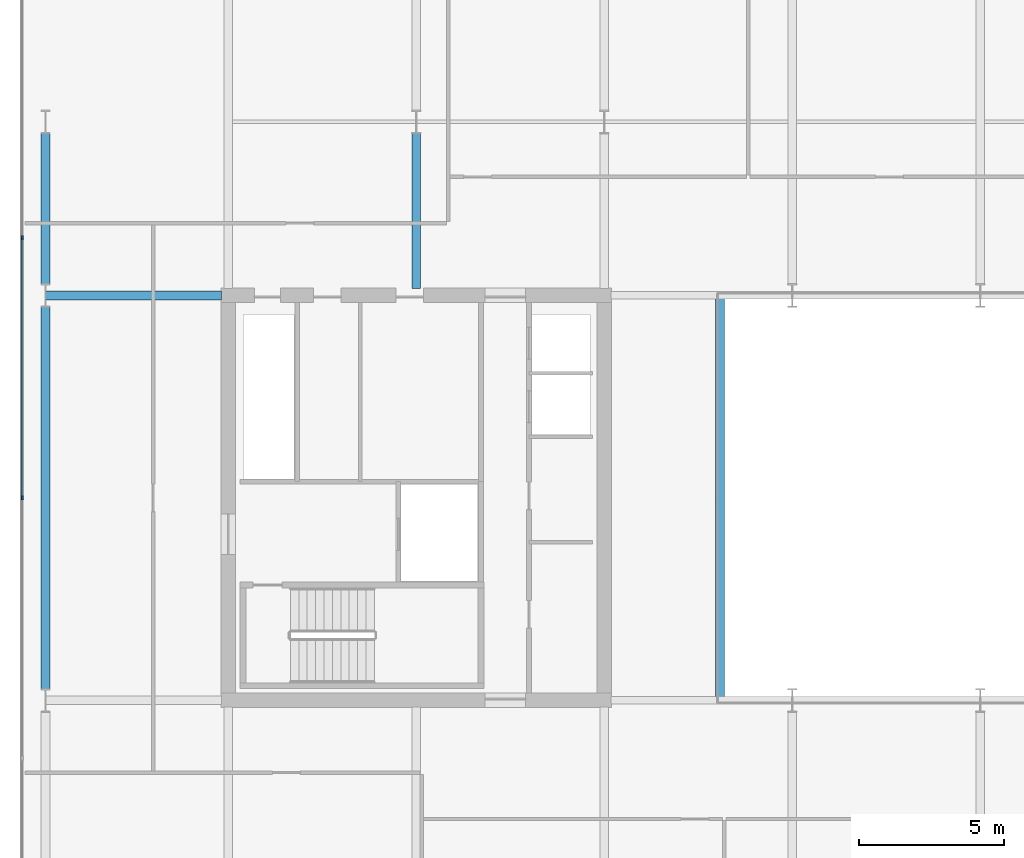
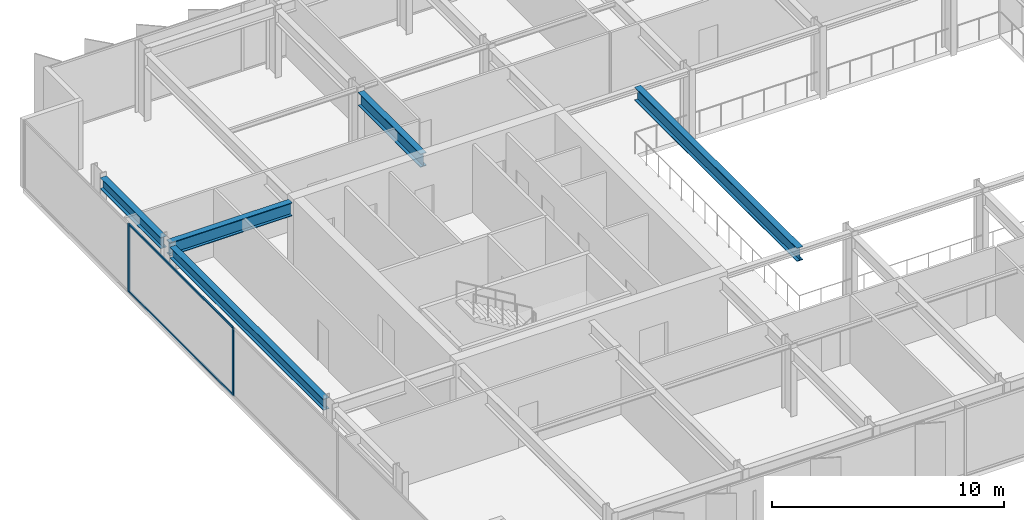
# One storey, part 5 of 23: 5 beams, 4 members, 1 element without a shape of its own.
"""IFC4 building model written with IfcOpenShell, lengths in metres."""

from ifc_helpers import new_model, si_unit, direction, frame, origin, origin_2d, place, context, subcontext, project, spatial, rectangle, i_section, extrude, material, layer, layer_set, material_profile, profile_set, type_object, element, aggregate, save


model = new_model("IFC4")

# Units and contexts
model_context = context("Model", 3, precision=1e-05, world=origin(), true_north=direction((0.0, 1.0)))
body_context = subcontext(model_context, "Body", "Model", "MODEL_VIEW")
ifc_project = project(units=[si_unit("LENGTHUNIT", "METRE"), si_unit("AREAUNIT", "SQUARE_METRE"), si_unit("VOLUMEUNIT", "CUBIC_METRE"), si_unit("PLANEANGLEUNIT", "RADIAN"), si_unit("MASSUNIT", "GRAM", prefix="KILO")], contexts=[model_context])

# Site, building, storey
site_placement = place(None, origin())
site = spatial("IfcSite", under=ifc_project, at=site_placement, CompositionType="ELEMENT")
building_placement = place(site_placement, origin())
building = spatial("IfcBuilding", under=site, at=building_placement, Name="Putna Gate Headquarters", CompositionType="ELEMENT")
storey_placement = place(building_placement, frame((0.0, 0.0, 206.199951171875)))
storey = spatial("IfcBuildingStorey", under=building, at=storey_placement, Name="L51", CompositionType="ELEMENT", Elevation=206.199951171875)

# Beams
ifc_material_1 = material(Name="Steel S355J2", Category="steel")
ifc_material_profile_1 = material_profile(ifc_material_1, i_section(OverallWidth=0.300048828125, OverallDepth=0.699951171875, WebThickness=0.01708984375, FlangeThickness=0.031982421875, at=origin_2d()), Name="Steel S355J2")
ifc_profile_set_1 = profile_set([ifc_material_profile_1], Name="Steel S355J2")
beam_type_1 = type_object("IfcBeamType", Name="BM-GIRD-B-HEB700", PredefinedType="USERDEFINED", material=ifc_profile_set_1)
beam_1_placement = place(storey_placement, frame((6.68603515625, 33.0, 3.22998046875), z_axis=(1.0, 0.0, 0.0), x_axis=(0.0, 1.0, 0.0)))
element("IfcBeam", 1, at=beam_1_placement, inside=storey, type_object=beam_type_1, Name="L51 West Wing Girder Y33", ObjectType="GIRDER", PredefinedType="USERDEFINED", context=body_context, shape_type="SweptSolid", body=[
    extrude(i_section(OverallWidth=0.300048828125, OverallDepth=0.699951171875, WebThickness=0.01708984375, FlangeThickness=0.031982421875, at=origin_2d()), origin(), (0.0, 0.0, 1.0), 6.078857421875),
])
beam_2_placement = place(storey_placement, frame((19.5, 33.235107421875, 3.22998046875), z_axis=(0.0, 1.0, 0.0), x_axis=(-1.0, 0.0, 0.0)))
element("IfcBeam", 2, at=beam_2_placement, inside=storey, type_object=beam_type_1, Name="L51 North Primary Girder X19-1", ObjectType="GIRDER", PredefinedType="USERDEFINED", context=body_context, shape_type="SweptSolid", body=[
    extrude(i_section(OverallWidth=0.300048828125, OverallDepth=0.699951171875, WebThickness=0.01708984375, FlangeThickness=0.031982421875, at=origin_2d()), origin(), (0.0, 0.0, 1.0), 5.369873046875),
])
beam_3_placement = place(storey_placement, frame((30.0, 19.010009765625, 3.22998046875), z_axis=(0.0, 1.0, 0.0), x_axis=(-1.0, 0.0, 0.0)))
element("IfcBeam", 3, at=beam_3_placement, inside=storey, type_object=beam_type_1, Name="L51 Atrium Trim Girder AW", ObjectType="GIRDER", PredefinedType="USERDEFINED", context=body_context, shape_type="SweptSolid", body=[
    extrude(i_section(OverallWidth=0.300048828125, OverallDepth=0.699951171875, WebThickness=0.01708984375, FlangeThickness=0.031982421875, at=origin_2d()), origin(), (0.0, 0.0, 1.0), 13.97998046875),
])
ifc_material_profile_2 = material_profile(ifc_material_1, i_section(OverallWidth=0.300048828125, OverallDepth=0.590087890625, WebThickness=0.012939453125, FlangeThickness=0.02490234375, at=origin_2d()), Name="Steel S355J2")
ifc_profile_set_2 = profile_set([ifc_material_profile_2], Name="Steel S355J2")
beam_type_2 = type_object("IfcBeamType", Name="BM-SPAN-Z4-HEA600", PredefinedType="SPANDREL", material=ifc_profile_set_2)
beam_4_placement = place(storey_placement, frame((6.679931640625, 19.39501953125, 3.28515625), z_axis=(0.0, 1.0, 0.0), x_axis=(-1.0, 0.0, 0.0)))
element("IfcBeam", 4, at=beam_4_placement, inside=storey, type_object=beam_type_2, Name="L51 W End Spandrel 2", PredefinedType="SPANDREL", context=body_context, shape_type="SweptSolid", body=[
    extrude(i_section(OverallWidth=0.300048828125, OverallDepth=0.590087890625, WebThickness=0.012939453125, FlangeThickness=0.02490234375, at=origin_2d()), origin(), (0.0, 0.0, 1.0), 13.2099609375),
])
beam_5_placement = place(storey_placement, frame((6.679931640625, 33.39501953125, 3.28515625), z_axis=(0.0, 1.0, 0.0), x_axis=(-1.0, 0.0, 0.0)))
element("IfcBeam", 5, at=beam_5_placement, inside=storey, type_object=beam_type_2, Name="L51 W End Spandrel 3", PredefinedType="SPANDREL", context=body_context, shape_type="SweptSolid", body=[
    extrude(i_section(OverallWidth=0.300048828125, OverallDepth=0.590087890625, WebThickness=0.012939453125, FlangeThickness=0.02490234375, at=origin_2d()), origin(), (0.0, 0.0, 1.0), 5.2099609375),
])

# Curtain wall, members
ifc_material_2 = material(Name="Anodised bronze aluminium curtain wall", Category="aluminium")
ifc_layer = layer(ifc_material_2, 0.139892578125)
ifc_layer_set = layer_set([ifc_layer], Name="Anodised bronze aluminium curtain wall")
curtain_wall_type = type_object("IfcCurtainWallType", Name="CW-SYS-Z4", PredefinedType="USERDEFINED", material=ifc_layer_set)
curtain_wall_placement = place(storey_placement, origin())
curtain_wall = element("IfcCurtainWall", 6, at=curtain_wall_placement, inside=storey, type_object=curtain_wall_type, Name="L51 West Curtain Wall", ObjectType="STICK CURTAIN WALL", PredefinedType="USERDEFINED")
ifc_material_3 = material(Name="Anodised bronze aluminium EN AW-6060", Category="aluminium")
ifc_material_profile_3 = material_profile(ifc_material_3, rectangle(XDim=0.06005859375, YDim=0.139892578125, at=origin_2d()), Name="Anodised bronze aluminium EN AW-6060")
ifc_profile_set_3 = profile_set([ifc_material_profile_3], Name="Anodised bronze aluminium EN AW-6060")
member_type_1 = type_object("IfcMemberType", Name="MULL-CWM-4", PredefinedType="MULLION", material=ifc_profile_set_3)
member_1_placement = place(storey_placement, frame((5.8798828125, 26.0, 0.0), z_axis=(0.0, 0.0, 1.0), x_axis=(-1.0, 0.0, 0.0)))
member_1 = element("IfcMember", 7, at=member_1_placement, type_object=member_type_1, Name="CWS-4 mullion 3", PredefinedType="MULLION", context=body_context, shape_type="SweptSolid", body=[
    extrude(rectangle(XDim=0.06005859375, YDim=0.139892578125, at=origin_2d()), origin(), (0.0, 0.0, 1.0), 3.580078125),
])
member_2_placement = place(storey_placement, frame((5.8798828125, 35.0, 0.0), z_axis=(0.0, 0.0, 1.0), x_axis=(-1.0, 0.0, 0.0)))
member_2 = element("IfcMember", 8, at=member_2_placement, type_object=member_type_1, Name="CWS-4 mullion 4", PredefinedType="MULLION", context=body_context, shape_type="SweptSolid", body=[
    extrude(rectangle(XDim=0.06005859375, YDim=0.139892578125, at=origin_2d()), origin(), (0.0, 0.0, 1.0), 3.580078125),
])
ifc_material_profile_4 = material_profile(ifc_material_3, rectangle(XDim=0.06005859375, YDim=0.10009765625, at=origin_2d()), Name="Anodised bronze aluminium EN AW-6060")
ifc_profile_set_4 = profile_set([ifc_material_profile_4], Name="Anodised bronze aluminium EN AW-6060")
member_type_2 = type_object("IfcMemberType", Name="TRAN-CWT-4", PredefinedType="USERDEFINED", material=ifc_profile_set_4)
member_3_placement = place(storey_placement, frame((5.8798828125, 26.030029296875, 0.030029296875), z_axis=(0.0, 1.0, 0.0), x_axis=(-1.0, 0.0, 0.0)))
member_3 = element("IfcMember", 9, at=member_3_placement, type_object=member_type_2, Name="CWS-4 transom 3.1", ObjectType="TRANSOM", PredefinedType="USERDEFINED", context=body_context, shape_type="SweptSolid", body=[
    extrude(rectangle(XDim=0.06005859375, YDim=0.10009765625, at=origin_2d()), origin(), (0.0, 0.0, 1.0), 8.93994140625),
])
member_4_placement = place(storey_placement, frame((5.8798828125, 26.030029296875, 3.550048828125), z_axis=(0.0, 1.0, 0.0), x_axis=(-1.0, 0.0, 0.0)))
member_4 = element("IfcMember", 10, at=member_4_placement, type_object=member_type_2, Name="CWS-4 transom 3.2", ObjectType="TRANSOM", PredefinedType="USERDEFINED", context=body_context, shape_type="SweptSolid", body=[
    extrude(rectangle(XDim=0.06005859375, YDim=0.10009765625, at=origin_2d()), origin(), (0.0, 0.0, 1.0), 8.93994140625),
])
aggregate(curtain_wall, [member_1, member_2, member_3, member_4])

save(model, "model.ifc")
